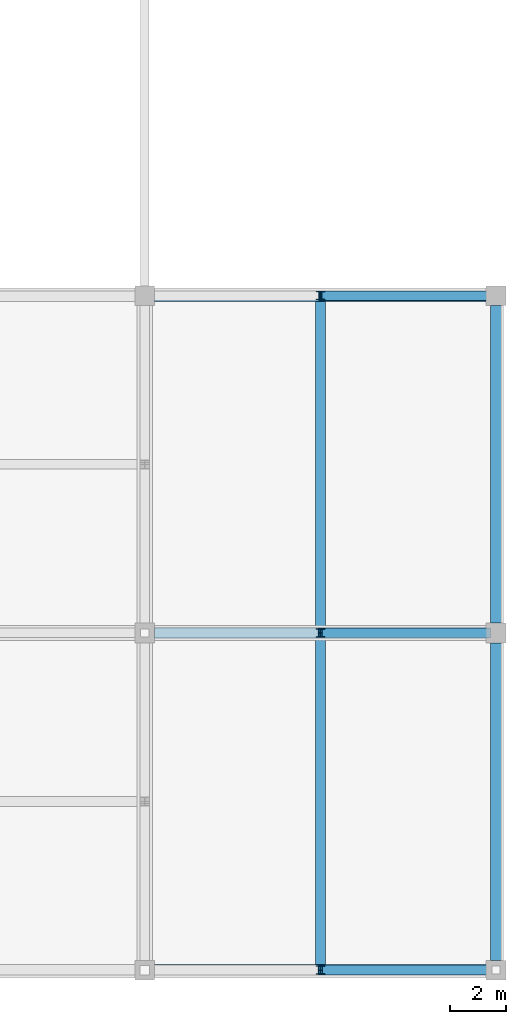
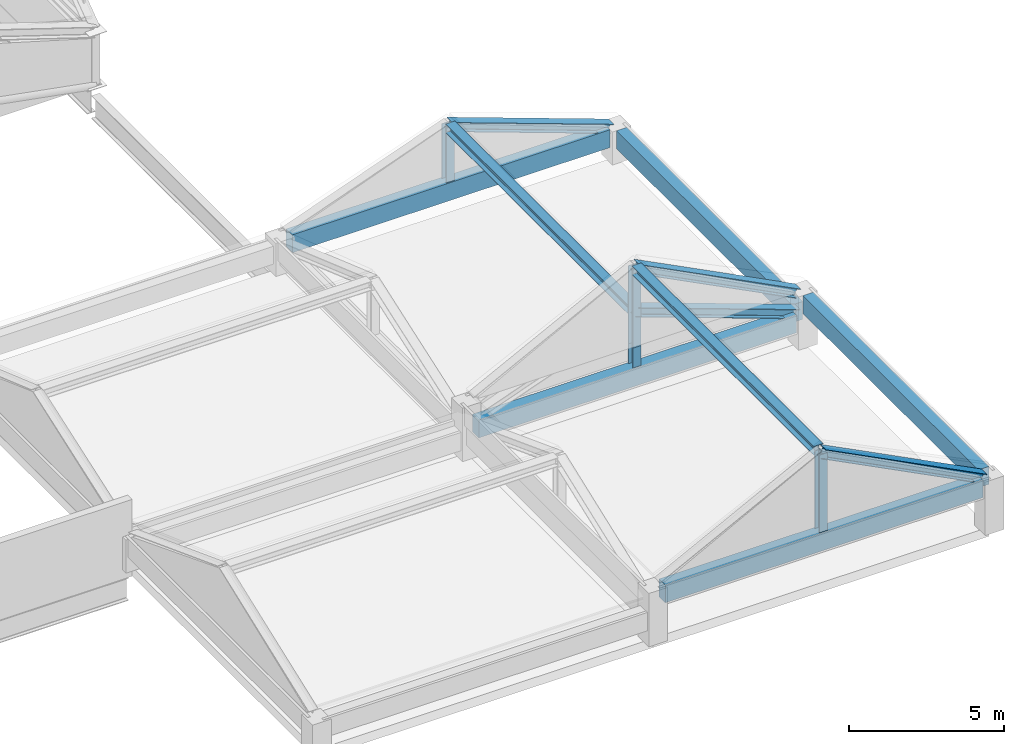
# One storey, part 63 of 117: 10 members, 5 beams.
"""IFC4 building model written with IfcOpenShell, lengths in metres."""

from ifc_helpers import new_model, si_unit, direction, frame, origin, origin_2d, place, context, subcontext, project, spatial, rectangle, i_section, extrude, material, material_profile, profile_set, type_object, element, save


model = new_model("IFC4")

# Units and contexts
model_context = context("Model", 3, precision=1e-05, world=origin(), true_north=direction((0.0, 1.0)))
body_context = subcontext(model_context, "Body", "Model", "MODEL_VIEW")
ifc_project = project(units=[si_unit("LENGTHUNIT", "METRE"), si_unit("AREAUNIT", "SQUARE_METRE"), si_unit("VOLUMEUNIT", "CUBIC_METRE"), si_unit("PLANEANGLEUNIT", "RADIAN"), si_unit("MASSUNIT", "GRAM", prefix="KILO")], contexts=[model_context])

# Site, building, storey
site_placement = place(None, origin())
site = spatial("IfcSite", under=ifc_project, at=site_placement, CompositionType="ELEMENT")
building_placement = place(site_placement, origin())
building = spatial("IfcBuilding", under=site, at=building_placement, Name="Kazenohara Klinker Stadium", CompositionType="ELEMENT")
storey_placement = place(building_placement, frame((0.0, 0.0, 31.199951171875)))
storey = spatial("IfcBuildingStorey", under=building, at=storey_placement, Name="RF", CompositionType="ELEMENT", Elevation=31.199951171875)

# Beams
ifc_material_1 = material(Name="Concrete C40/50", Category="concrete")
ifc_material_profile_1 = material_profile(ifc_material_1, rectangle(XDim=0.39990234375, YDim=0.699951171875, at=origin_2d()), Name="RC-BM-400x700")
ifc_profile_set_1 = profile_set([ifc_material_profile_1], Name="Concrete C40/50")
beam_type = type_object("IfcBeamType", Name="BM-RC04", PredefinedType="BEAM", material=ifc_profile_set_1)
for number, where, z_axis, x_axis, name in (
    (1, (187.85009765625, 12.0, 1.75), (1.0, 0.0, 0.0), (0.0, 1.0, 0.0), "Turret crown eave girder BG04 RF X15-1"),
    (2, (187.85009765625, 24.0, 0.949951171875), (1.0, 0.0, 0.0), (0.0, 1.0, 0.0), "Turret crown eave girder BG04 RF X15-2"),
):
    element("IfcBeam", number, at=place(storey_placement, frame(where, z_axis=z_axis, x_axis=x_axis)), inside=storey, type_object=beam_type, Name=name, PredefinedType="BEAM", context=body_context, shape_type="SweptSolid", body=[
        extrude(rectangle(XDim=0.39990234375, YDim=0.699951171875, at=origin_2d()), origin(), (0.0, 0.0, 1.0), 11.7998046875),
    ])
beam_1_placement = place(storey_placement, frame((200.0, 12.35009765625, 1.75), z_axis=(0.0, 1.0, 0.0), x_axis=(-1.0, 0.0, 0.0)))
element("IfcBeam", 3, at=beam_1_placement, inside=storey, type_object=beam_type, Name="Turret crown eave girder BG04 RF Y16-1", PredefinedType="BEAM", context=body_context, shape_type="SweptSolid", body=[
    extrude(rectangle(XDim=0.39990234375, YDim=0.699951171875, at=origin_2d()), origin(), (0.0, 0.0, 1.0), 11.2998046875),
])
beam_2_placement = place(storey_placement, frame((187.85009765625, 36.0, 0.949951171875), z_axis=(1.0, 0.0, 0.0), x_axis=(0.0, 1.0, 0.0)))
element("IfcBeam", 4, at=beam_2_placement, inside=storey, type_object=beam_type, Name="Turret crown eave girder BG04 RF X15-3", PredefinedType="BEAM", context=body_context, shape_type="SweptSolid", body=[
    extrude(rectangle(XDim=0.39990234375, YDim=0.699951171875, at=origin_2d()), origin(), (0.0, 0.0, 1.0), 11.7998046875),
])
beam_3_placement = place(storey_placement, frame((200.0, 24.35009765625, 0.949951171875), z_axis=(0.0, 1.0, 0.0), x_axis=(-1.0, 0.0, 0.0)))
element("IfcBeam", 5, at=beam_3_placement, inside=storey, type_object=beam_type, Name="Turret crown eave girder BG04 RF Y16-2", PredefinedType="BEAM", context=body_context, shape_type="SweptSolid", body=[
    extrude(rectangle(XDim=0.39990234375, YDim=0.699951171875, at=origin_2d()), origin(), (0.0, 0.0, 1.0), 11.2998046875),
])

# Members
ifc_material_2 = material(Name="Steel S355", Category="steel")
ifc_material_profile_2 = material_profile(ifc_material_2, i_section(OverallWidth=0.35009765625, OverallDepth=0.35009765625, WebThickness=0.011962890625, FlangeThickness=0.01904296875, FilletRadius=0.012939453125, at=origin_2d()), Name="H-350x350x12x19")
ifc_profile_set_2 = profile_set([ifc_material_profile_2], Name="Steel S355")
member_type_1 = type_object("IfcMemberType", Name="MEM-CHD02", PredefinedType="CHORD", material=ifc_profile_set_2)
for number, where, z_axis, x_axis, name in (
    (6, (199.75, 12.0, 2.080078125), (-0.890230058261, 0.0, 0.455511189072), (0.0, -1.0, 0.0), "Crown gable rafter GT4-SE S East"),
    (7, (199.75, 24.0, 2.080078125), (-0.890230058261, 0.0, 0.455511189072), (0.0, -1.0, 0.0), "Crown gable rafter GT4-SE N East"),
):
    element("IfcMember", number, at=place(storey_placement, frame(where, z_axis=z_axis, x_axis=x_axis)), inside=storey, type_object=member_type_1, Name=name, PredefinedType="CHORD", context=body_context, shape_type="SweptSolid", body=[
        extrude(i_section(OverallWidth=0.35009765625, OverallDepth=0.35009765625, WebThickness=0.011962890625, FlangeThickness=0.01904296875, FilletRadius=0.012939453125, at=origin_2d()), origin(), (0.0, 0.0, 1.0), 6.73974609375),
    ])
member_1_placement = place(storey_placement, frame((193.75, 12.14990234375, 5.150146484375), z_axis=(0.0, 1.0, 0.0), x_axis=(-1.0, 0.0, 0.0)))
element("IfcMember", 8, at=member_1_placement, inside=storey, type_object=member_type_1, Name="Crown ridge beam GT4-SE", PredefinedType="CHORD", context=body_context, shape_type="SweptSolid", body=[
    extrude(i_section(OverallWidth=0.35009765625, OverallDepth=0.35009765625, WebThickness=0.011962890625, FlangeThickness=0.01904296875, FilletRadius=0.012939453125, at=origin_2d()), origin(), (0.0, 0.0, 1.0), 11.7001953125),
])
for number, where, z_axis, x_axis, name in (
    (9, (199.75, 24.0, 1.280029296875), (-0.940390807712, 0.0, 0.340095764117), (0.0, -1.0, 0.0), "Crown gable rafter GT4-NE S East"),
    (10, (199.75, 36.0, 1.280029296875), (-0.940390807712, 0.0, 0.340095764117), (0.0, -1.0, 0.0), "Crown gable rafter GT4-NE N East"),
):
    element("IfcMember", number, at=place(storey_placement, frame(where, z_axis=z_axis, x_axis=x_axis)), inside=storey, type_object=member_type_1, Name=name, PredefinedType="CHORD", context=body_context, shape_type="SweptSolid", body=[
        extrude(i_section(OverallWidth=0.35009765625, OverallDepth=0.35009765625, WebThickness=0.011962890625, FlangeThickness=0.01904296875, FilletRadius=0.012939453125, at=origin_2d()), origin(), (0.0, 0.0, 1.0), 6.38037109375),
    ])
member_2_placement = place(storey_placement, frame((193.75, 24.14990234375, 3.449951171875), z_axis=(0.0, 1.0, 0.0), x_axis=(-1.0, 0.0, 0.0)))
element("IfcMember", 11, at=member_2_placement, inside=storey, type_object=member_type_1, Name="Crown ridge beam GT4-NE", PredefinedType="CHORD", context=body_context, shape_type="SweptSolid", body=[
    extrude(i_section(OverallWidth=0.35009765625, OverallDepth=0.35009765625, WebThickness=0.011962890625, FlangeThickness=0.01904296875, FilletRadius=0.012939453125, at=origin_2d()), origin(), (0.0, 0.0, 1.0), 11.7001953125),
])
ifc_material_profile_3 = material_profile(ifc_material_2, i_section(OverallWidth=0.300048828125, OverallDepth=0.300048828125, WebThickness=0.010009765625, FlangeThickness=0.014892578125, FilletRadius=0.012939453125, at=origin_2d()), Name="H-300x300x10x15")
ifc_profile_set_3 = profile_set([ifc_material_profile_3], Name="Steel S355")
member_type_2 = type_object("IfcMemberType", Name="MEM-STR01", PredefinedType="STRUT", material=ifc_profile_set_3)
for number, where, z_axis, x_axis, name in (
    (12, (193.75, 12.0, 2.080078125), (0.0, 0.0, 1.0), (1.0, 0.0, 0.0), "Crown gable king-post GT4-SE S"),
    (13, (193.75, 24.0, 2.080078125), (0.0, 0.0, 1.0), (1.0, 0.0, 0.0), "Crown gable king-post GT4-SE N"),
):
    element("IfcMember", number, at=place(storey_placement, frame(where, z_axis=z_axis, x_axis=x_axis)), inside=storey, type_object=member_type_2, Name=name, PredefinedType="STRUT", context=body_context, shape_type="SweptSolid", body=[
        extrude(i_section(OverallWidth=0.300048828125, OverallDepth=0.300048828125, WebThickness=0.010009765625, FlangeThickness=0.014892578125, FilletRadius=0.012939453125, at=origin_2d()), origin(), (0.0, 0.0, 1.0), 3.070068359375),
    ])
for number, where, z_axis, x_axis, name in (
    (14, (193.75, 24.0, 1.280029296875), (0.0, 0.0, 1.0), (1.0, 0.0, 0.0), "Crown gable king-post GT4-NE S"),
    (15, (193.75, 36.0, 1.280029296875), (0.0, 0.0, 1.0), (1.0, 0.0, 0.0), "Crown gable king-post GT4-NE N"),
):
    element("IfcMember", number, at=place(storey_placement, frame(where, z_axis=z_axis, x_axis=x_axis)), inside=storey, type_object=member_type_2, Name=name, PredefinedType="STRUT", context=body_context, shape_type="SweptSolid", body=[
        extrude(i_section(OverallWidth=0.300048828125, OverallDepth=0.300048828125, WebThickness=0.010009765625, FlangeThickness=0.014892578125, FilletRadius=0.012939453125, at=origin_2d()), origin(), (0.0, 0.0, 1.0), 2.169921875),
    ])

save(model, "model.ifc")
